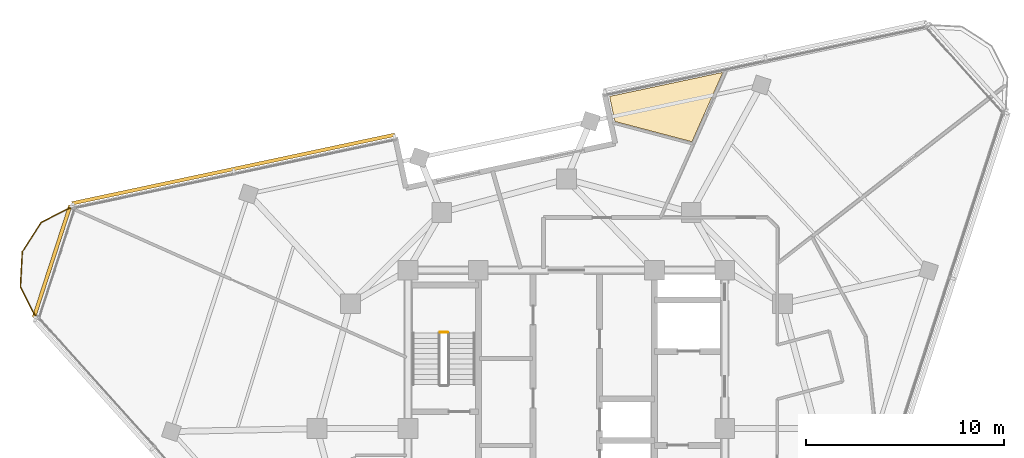
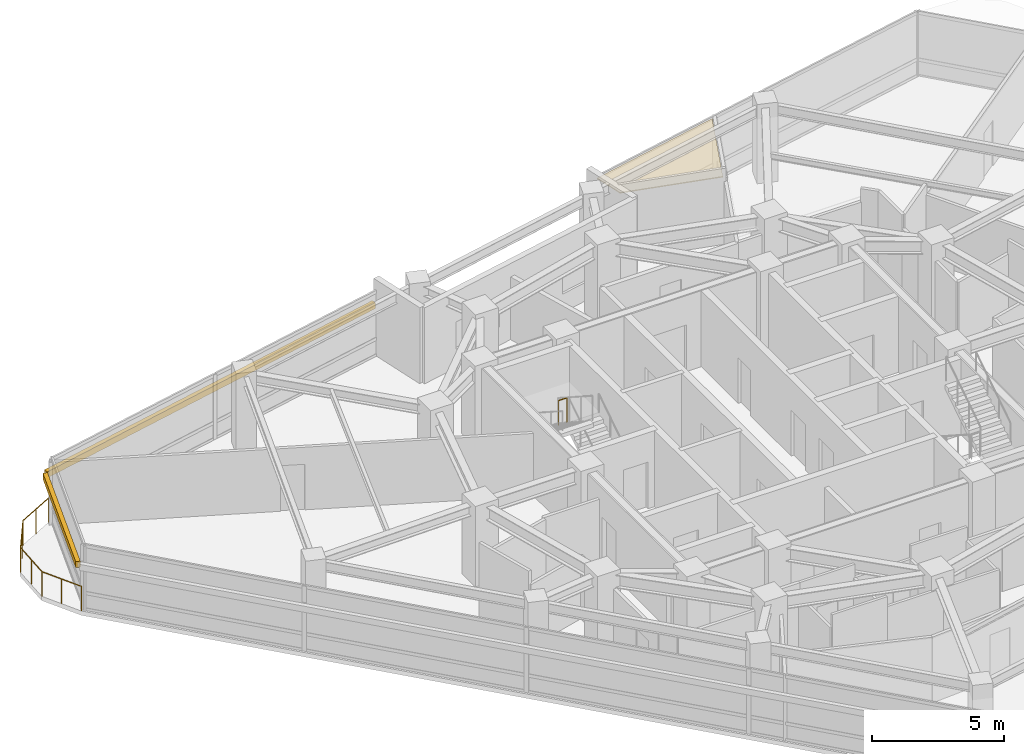
# One storey, part 14 of 15: 2 railings, 2 shading devices, 1 covering.
"""IFC4 building model written with IfcOpenShell, lengths in metres."""

from ifc_helpers import new_model, si_unit, direction, frame, origin, origin_2d, place, context, subcontext, project, spatial, polyline, rectangle, circle, outline, extrude, material, layer, layer_set, type_object, element, save


model = new_model("IFC4")

# Units and contexts
model_context = context("Model", 3, precision=1e-05, world=origin(), true_north=direction((0.0, 1.0)))
body_context = subcontext(model_context, "Body", "Model", "MODEL_VIEW")
ifc_project = project(units=[si_unit("LENGTHUNIT", "METRE"), si_unit("AREAUNIT", "SQUARE_METRE"), si_unit("VOLUMEUNIT", "CUBIC_METRE"), si_unit("PLANEANGLEUNIT", "RADIAN"), si_unit("MASSUNIT", "GRAM", prefix="KILO")], contexts=[model_context])

# Site, building, storey
site_placement = place(None, origin())
site = spatial("IfcSite", under=ifc_project, at=site_placement, CompositionType="ELEMENT")
building_placement = place(site_placement, origin())
building = spatial("IfcBuilding", under=site, at=building_placement, Name="Terralouvre Media Tower", CompositionType="ELEMENT")
storey_placement = place(building_placement, frame((0.0, 0.0, 294.300048828125)))
storey = spatial("IfcBuildingStorey", under=building, at=storey_placement, Name="L76", CompositionType="ELEMENT", Elevation=294.300048828125)

# Covering
ifc_material_1 = material(Name="Perforated aluminium acoustic ceiling baffle", Category="aluminium")
ifc_layer_1 = layer(ifc_material_1, 0.0400390625, Name="Perforated Acoustic Metal Tile Ceiling CL-AC1")
ifc_layer_set_1 = layer_set([ifc_layer_1], Name="Perforated aluminium acoustic ceiling baffle")
covering_type = type_object("IfcCoveringType", Name="Perforated Acoustic Metal Tile Ceiling CL-AC1", PredefinedType="CEILING", material=ifc_layer_set_1)
covering_placement = place(storey_placement, frame((0.0, 0.0, 2.97998046875), z_axis=(0.0, 0.0, 1.0), x_axis=(0.309016994375, 0.951056516295, 0.0)))
element("IfcCovering", 1, at=covering_placement, inside=storey, type_object=covering_type, Name="L76 Barista Coffee Tea Pantry 8 Acoustic Ceiling", PredefinedType="CEILING", context=body_context, shape_type="SweptSolid", body=[
    extrude(outline(polyline([(19.55322265625, -1.9541015625), (16.62841796875, 3.111083984375), (15.507568359375, 2.463623046875), (15.736572265625, -1.553466796875), (19.55322265625, -1.9541015625)])), origin(), (0.0, 0.0, 1.0), 0.0400390625),
])

# Railings
ifc_material_2 = material(Name="Stainless steel 316 handrail and balustrade", Category="steel")
ifc_layer_2 = layer(ifc_material_2, 0.06005859375, Name="Roof Edge Safety Guardrail GR-ROOF1")
ifc_layer_set_2 = layer_set([ifc_layer_2], Name="Stainless steel 316 handrail and balustrade")
railing_type_1 = type_object("IfcRailingType", Name="Roof Edge Safety Guardrail GR-ROOF1", PredefinedType="GUARDRAIL", material=ifc_layer_set_2)
railing_1_placement = place(storey_placement, frame((-24.927490234375, 11.230224609375, 0.0)))
element("IfcRailing", 2, at=railing_1_placement, inside=storey, type_object=railing_type_1, Name="L76 Wind-Corner Perimeter Safety Guardrail C2", PredefinedType="GUARDRAIL", context=body_context, shape_type="SweptSolid", body=[
    extrude(circle(Radius=0.02099609375, at=origin_2d()), frame((0.0, 0.0, 1.12890625), z_axis=(-0.891111697267, -0.453784026817, 0.0), x_axis=(0.453784026817, -0.891111697267, 0.0)), (0.0, 0.0, 1.0), 1.7802734375),
    extrude(circle(Radius=0.02099609375, at=origin_2d()), frame((-1.58642578125, -0.807861328125, 1.12890625), z_axis=(-0.544752056661, -0.838597160002, 0.0), x_axis=(0.838597160002, -0.544752056661, 0.0)), (0.0, 0.0, 1.0), 1.77978515625),
    extrude(circle(Radius=0.02099609375, at=origin_2d()), frame((-2.555908203125, -2.30029296875, 1.12890625), z_axis=(-0.052126837836, -0.998640472231, 0.0), x_axis=(0.998640472231, -0.052126837836, 0.0)), (0.0, 0.0, 1.0), 1.77978515625),
    extrude(circle(Radius=0.02099609375, at=origin_2d()), frame((-2.648681640625, -4.07763671875, 1.12890625), z_axis=(0.454221597143, -0.890888736425, 0.0), x_axis=(0.890888736425, 0.454221597143, 0.0)), (0.0, 0.0, 1.0), 1.7802734375),
    extrude(circle(Radius=0.01904296875, at=origin_2d()), origin(), (0.0, 0.0, 1.0), 1.10791015625),
    extrude(circle(Radius=0.01904296875, at=origin_2d()), frame((-0.793212890625, -0.40380859375, 0.0)), (0.0, 0.0, 1.0), 1.10791015625),
    extrude(circle(Radius=0.01904296875, at=origin_2d()), frame((-1.58642578125, -0.807861328125, 0.0)), (0.0, 0.0, 1.0), 1.10791015625),
    extrude(circle(Radius=0.01904296875, at=origin_2d()), frame((-2.0712890625, -1.55419921875, 0.0)), (0.0, 0.0, 1.0), 1.10791015625),
    extrude(circle(Radius=0.01904296875, at=origin_2d()), frame((-2.555908203125, -2.30029296875, 0.0)), (0.0, 0.0, 1.0), 1.10791015625),
    extrude(circle(Radius=0.01904296875, at=origin_2d()), frame((-2.602294921875, -3.18896484375, 0.0)), (0.0, 0.0, 1.0), 1.10791015625),
    extrude(circle(Radius=0.01904296875, at=origin_2d()), frame((-2.648681640625, -4.07763671875, 0.0)), (0.0, 0.0, 1.0), 1.10791015625),
    extrude(circle(Radius=0.01904296875, at=origin_2d()), frame((-2.244384765625, -4.87060546875, 0.0)), (0.0, 0.0, 1.0), 1.10791015625),
    extrude(circle(Radius=0.01904296875, at=origin_2d()), frame((-1.840087890625, -5.66357421875, 0.0)), (0.0, 0.0, 1.0), 1.10791015625),
])
ifc_material_3 = material(Name="Stainless steel 316 handrail and balustrade", Category="steel")
ifc_layer_3 = layer(ifc_material_3, 0.050048828125, Name="Stairwell Safety Guardrail GR-INT1")
ifc_layer_set_3 = layer_set([ifc_layer_3], Name="Stainless steel 316 handrail and balustrade")
railing_type_2 = type_object("IfcRailingType", Name="Stairwell Safety Guardrail GR-INT1", PredefinedType="GUARDRAIL", material=ifc_layer_set_3)
railing_2_placement = place(storey_placement, frame((-6.0, 4.8701171875, 1.849853515625)))
element("IfcRailing", 3, at=railing_2_placement, inside=storey, type_object=railing_type_2, Name="L76 ST-01 stair guard 2", PredefinedType="GUARDRAIL", context=body_context, shape_type="SweptSolid", body=[
    extrude(circle(Radius=0.02392578125, at=origin_2d()), frame((0.0, 0.0, 1.1259765625), z_axis=(-1.0, 0.0, 0.0), x_axis=(0.0, -1.0, 0.0)), (0.0, 0.0, 1.0), 0.3798828125),
    extrude(circle(Radius=0.02099609375, at=origin_2d()), origin(), (0.0, 0.0, 1.0), 1.101806640625),
    extrude(circle(Radius=0.02099609375, at=origin_2d()), frame((-0.3798828125, 0.0, 0.0)), (0.0, 0.0, 1.0), 1.101806640625),
])

# Shading devices
ifc_material_4 = material(Name="Extruded terracotta baguette sunshade louvres", Category="masonry")
shading_device_type = type_object("IfcShadingDeviceType", Name="Terracotta Baguette Sunshade Louvre Screen TB-LV1", PredefinedType="USERDEFINED", material=ifc_material_4)
shading_device_1_placement = place(storey_placement, frame((-16.822265625, 13.105224609375, 2.02392578125), z_axis=(0.0, 0.0, 1.0), x_axis=(-0.978147684351, -0.20791129743, 0.0)))
element("IfcShadingDevice", 4, at=shading_device_1_placement, inside=storey, type_object=shading_device_type, Name="CW-L76-F1R Terracotta Baguette Sunshade Louvre", ObjectType="BAGUETTE", PredefinedType="USERDEFINED", context=body_context, shape_type="SweptSolid", body=[
    extrude(rectangle(XDim=16.659912109375, YDim=0.179931640625, at=origin_2d()), origin(), (0.0, 0.0, 1.0), 0.280029296875),
])
shading_device_2_placement = place(storey_placement, frame((-25.975830078125, 8.440185546875, 2.02392578125), z_axis=(0.0, 0.0, 1.0), x_axis=(-0.30901654693, -0.951056661679, 0.0)))
element("IfcShadingDevice", 5, at=shading_device_2_placement, inside=storey, type_object=shading_device_type, Name="CW-L76-C2 Terracotta Baguette Sunshade Louvre", ObjectType="BAGUETTE", PredefinedType="USERDEFINED", context=body_context, shape_type="SweptSolid", body=[
    extrude(rectangle(XDim=5.958251953125, YDim=0.179931640625, at=origin_2d()), origin(), (0.0, 0.0, 1.0), 0.280029296875),
])

save(model, "model.ifc")
